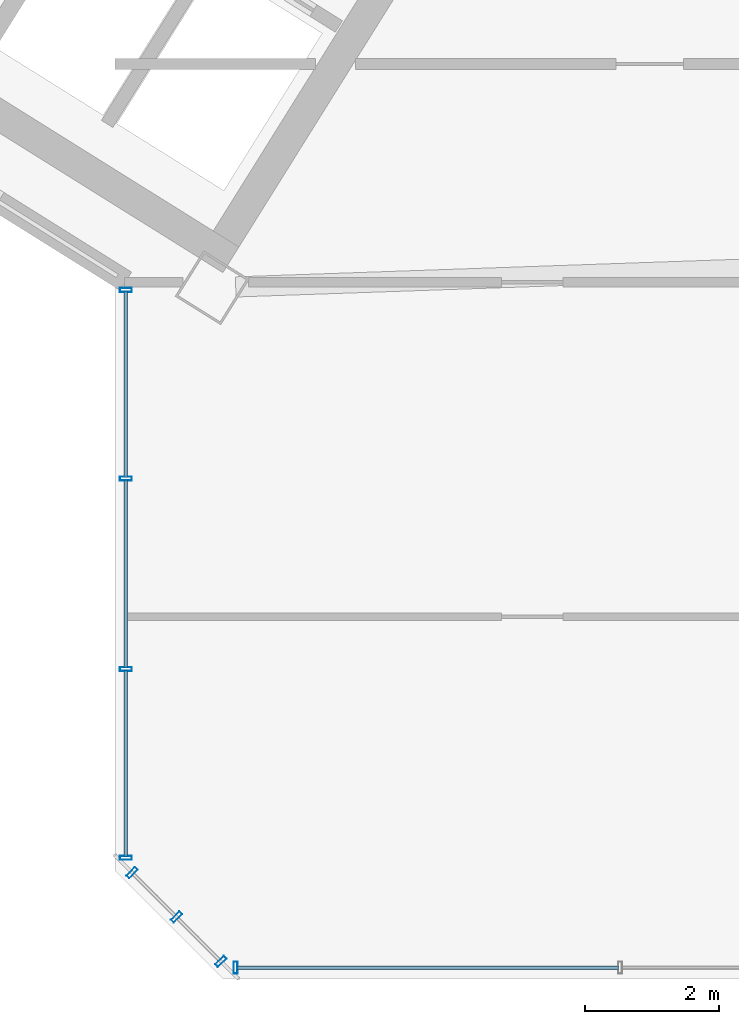
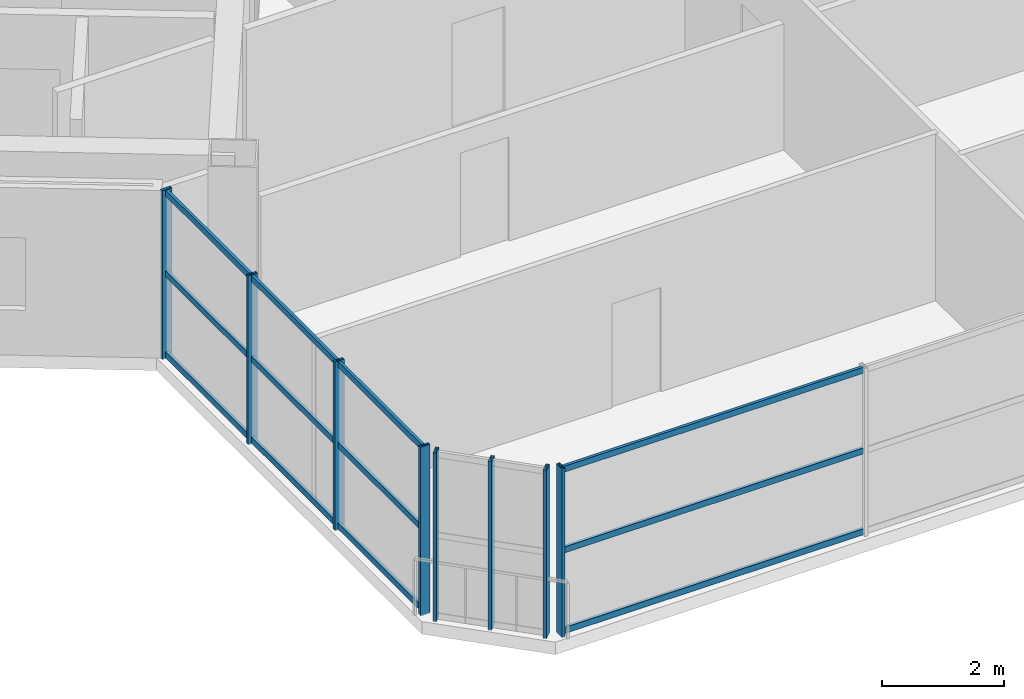
# One storey, part 4 of 21: 20 members, 3 elements without a shape of their own.
"""IFC4 building model written with IfcOpenShell, lengths in metres."""

from ifc_helpers import new_model, si_unit, direction, frame, origin, origin_2d, place, context, subcontext, project, spatial, hollow_rectangle, extrude, source, transform, mapped, material, material_profile, profile_set, type_object, element, aggregate, save


model = new_model("IFC4")

# Units and contexts
model_context = context("Model", 3, precision=1e-05, world=origin(), true_north=direction((0.0, 1.0)))
body_context = subcontext(model_context, "Body", "Model", "MODEL_VIEW")
ifc_project = project(units=[si_unit("LENGTHUNIT", "METRE"), si_unit("AREAUNIT", "SQUARE_METRE"), si_unit("VOLUMEUNIT", "CUBIC_METRE"), si_unit("PLANEANGLEUNIT", "RADIAN"), si_unit("MASSUNIT", "GRAM", prefix="KILO")], contexts=[model_context])

# Site, building, storey
site_placement = place(None, origin())
site = spatial("IfcSite", under=ifc_project, at=site_placement, CompositionType="ELEMENT")
building_placement = place(site_placement, origin())
building = spatial("IfcBuilding", under=site, at=building_placement, Name="Tlacorven Tower", CompositionType="ELEMENT")
storey_placement = place(building_placement, frame((0.0, 0.0, 214.800048828125)))
storey = spatial("IfcBuildingStorey", under=building, at=storey_placement, Name="L54", CompositionType="ELEMENT", Elevation=214.800048828125)

# Curtain wall, members
ifc_material_1 = material(Name="Dark solar low-E double glazing in aluminium frame", Category="aluminium")
curtain_wall_type = type_object("IfcCurtainWallType", Name="CW-TWR-HIGH", PredefinedType="USERDEFINED", material=ifc_material_1)
curtain_wall_1_placement = place(storey_placement, origin())
curtain_wall_1 = element("IfcCurtainWall", 1, at=curtain_wall_1_placement, inside=storey, type_object=curtain_wall_type, Name="L54 CW-TWR-HIGH Curtain Wall 245", ObjectType="UNITISED CURTAIN WALL", PredefinedType="USERDEFINED")
ifc_material_2 = material(Name="Aluminium 6063-T6 anodised", Category="aluminium")
ifc_material_profile_1 = material_profile(ifc_material_2, hollow_rectangle(XDim=0.054931640625, YDim=0.1201171875, WallThickness=0.00341796875, at=origin_2d()), Name="ALU TRANSOM 55X120")
ifc_profile_set_1 = profile_set([ifc_material_profile_1], Name="Aluminium 6063-T6 anodised")
member_type_1 = type_object("IfcMemberType", Name="CWT-03", PredefinedType="USERDEFINED", material=ifc_profile_set_1)
shared_shape_1 = source(origin(), body_context, "Body", "SweptSolid", [
    extrude(hollow_rectangle(XDim=0.054931640625, YDim=0.1201171875, WallThickness=0.00341796875, at=origin_2d()), origin(), (0.0, 0.0, 1.0), 5.689697265625),
])
member_1_placement = place(storey_placement, frame((39.10400390625, 1.9599609375, 0.06005859375), z_axis=(-1.0, 0.0, 0.0), x_axis=(0.0, -1.0, 0.0)))
member_1 = element("IfcMember", 2, at=member_1_placement, type_object=member_type_1, Name="CW-L54-245 Transom 7", ObjectType="TRANSOM", PredefinedType="USERDEFINED", context=body_context, shape_type="MappedRepresentation", body=[
    mapped(shared_shape_1, transform((0.0, 0.0, 0.0), scale=1.0)),
])
member_2_placement = place(storey_placement, frame((39.10400390625, 1.9599609375, 1.675048828125), z_axis=(-1.0, 0.0, 0.0), x_axis=(0.0, -1.0, 0.0)))
member_2 = element("IfcMember", 3, at=member_2_placement, type_object=member_type_1, Name="CW-L54-245 Transom 8", ObjectType="TRANSOM", PredefinedType="USERDEFINED", context=body_context, shape_type="MappedRepresentation", body=[
    mapped(shared_shape_1, transform((0.0, 0.0, 0.0), scale=1.0)),
])
member_3_placement = place(storey_placement, frame((39.10400390625, 1.9599609375, 3.2900390625), z_axis=(-1.0, 0.0, 0.0), x_axis=(0.0, -1.0, 0.0)))
member_3 = element("IfcMember", 4, at=member_3_placement, type_object=member_type_1, Name="CW-L54-245 Transom 9", ObjectType="TRANSOM", PredefinedType="USERDEFINED", context=body_context, shape_type="MappedRepresentation", body=[
    mapped(shared_shape_1, transform((0.0, 0.0, 0.0), scale=1.0)),
])

curtain_wall_2_placement = place(storey_placement, origin())
curtain_wall_2 = element("IfcCurtainWall", 5, at=curtain_wall_2_placement, inside=storey, type_object=curtain_wall_type, Name="L54 CW-TWR-HIGH Curtain Wall 247", ObjectType="UNITISED CURTAIN WALL", PredefinedType="USERDEFINED")
shared_shape_2 = source(origin(), body_context, "Body", "SweptSolid", [
    extrude(hollow_rectangle(XDim=0.054931640625, YDim=0.1201171875, WallThickness=0.00341796875, at=origin_2d()), origin(), (0.0, 0.0, 1.0), 2.77294921875),
])
member_4_placement = place(storey_placement, frame((31.760009765625, 3.6142578125, 0.06005859375), z_axis=(0.0, 1.0, 0.0), x_axis=(-1.0, 0.0, 0.0)))
member_4 = element("IfcMember", 6, at=member_4_placement, type_object=member_type_1, Name="CW-L54-247 Transom 1", ObjectType="TRANSOM", PredefinedType="USERDEFINED", context=body_context, shape_type="MappedRepresentation", body=[
    mapped(shared_shape_2, transform((0.0, 0.0, 0.0), scale=1.0)),
])
member_5_placement = place(storey_placement, frame((31.760009765625, 3.6142578125, 1.675048828125), z_axis=(0.0, 1.0, 0.0), x_axis=(-1.0, 0.0, 0.0)))
member_5 = element("IfcMember", 7, at=member_5_placement, type_object=member_type_1, Name="CW-L54-247 Transom 2", ObjectType="TRANSOM", PredefinedType="USERDEFINED", context=body_context, shape_type="MappedRepresentation", body=[
    mapped(shared_shape_2, transform((0.0, 0.0, 0.0), scale=1.0)),
])
member_6_placement = place(storey_placement, frame((31.760009765625, 3.6142578125, 3.2900390625), z_axis=(0.0, 1.0, 0.0), x_axis=(-1.0, 0.0, 0.0)))
member_6 = element("IfcMember", 8, at=member_6_placement, type_object=member_type_1, Name="CW-L54-247 Transom 3", ObjectType="TRANSOM", PredefinedType="USERDEFINED", context=body_context, shape_type="MappedRepresentation", body=[
    mapped(shared_shape_2, transform((0.0, 0.0, 0.0), scale=1.0)),
])
member_7_placement = place(storey_placement, frame((31.760009765625, 9.26220703125, 0.06005859375), z_axis=(0.0, 1.0, 0.0), x_axis=(-1.0, 0.0, 0.0)))
member_7 = element("IfcMember", 9, at=member_7_placement, type_object=member_type_1, Name="CW-L54-247 Transom 7", ObjectType="TRANSOM", PredefinedType="USERDEFINED", context=body_context, shape_type="MappedRepresentation", body=[
    mapped(shared_shape_2, transform((0.0, 0.0, 0.0), scale=1.0)),
])
member_8_placement = place(storey_placement, frame((31.760009765625, 9.26220703125, 1.675048828125), z_axis=(0.0, 1.0, 0.0), x_axis=(-1.0, 0.0, 0.0)))
member_8 = element("IfcMember", 10, at=member_8_placement, type_object=member_type_1, Name="CW-L54-247 Transom 8", ObjectType="TRANSOM", PredefinedType="USERDEFINED", context=body_context, shape_type="MappedRepresentation", body=[
    mapped(shared_shape_2, transform((0.0, 0.0, 0.0), scale=1.0)),
])
member_9_placement = place(storey_placement, frame((31.760009765625, 9.26220703125, 3.2900390625), z_axis=(0.0, 1.0, 0.0), x_axis=(-1.0, 0.0, 0.0)))
member_9 = element("IfcMember", 11, at=member_9_placement, type_object=member_type_1, Name="CW-L54-247 Transom 9", ObjectType="TRANSOM", PredefinedType="USERDEFINED", context=body_context, shape_type="MappedRepresentation", body=[
    mapped(shared_shape_2, transform((0.0, 0.0, 0.0), scale=1.0)),
])
shared_shape_3 = source(origin(), body_context, "Body", "SweptSolid", [
    extrude(hollow_rectangle(XDim=0.054931640625, YDim=0.1201171875, WallThickness=0.00341796875, at=origin_2d()), origin(), (0.0, 0.0, 1.0), 2.802978515625),
])
member_10_placement = place(storey_placement, frame((31.760009765625, 6.423095703125, 0.06005859375), z_axis=(0.0, 1.0, 0.0), x_axis=(-1.0, 0.0, 0.0)))
member_10 = element("IfcMember", 12, at=member_10_placement, type_object=member_type_1, Name="CW-L54-247 Transom 4", ObjectType="TRANSOM", PredefinedType="USERDEFINED", context=body_context, shape_type="MappedRepresentation", body=[
    mapped(shared_shape_3, transform((0.0, 0.0, 0.0), scale=1.0)),
])
member_11_placement = place(storey_placement, frame((31.760009765625, 6.423095703125, 1.675048828125), z_axis=(0.0, 1.0, 0.0), x_axis=(-1.0, 0.0, 0.0)))
member_11 = element("IfcMember", 13, at=member_11_placement, type_object=member_type_1, Name="CW-L54-247 Transom 5", ObjectType="TRANSOM", PredefinedType="USERDEFINED", context=body_context, shape_type="MappedRepresentation", body=[
    mapped(shared_shape_3, transform((0.0, 0.0, 0.0), scale=1.0)),
])
member_12_placement = place(storey_placement, frame((31.760009765625, 6.423095703125, 3.2900390625), z_axis=(0.0, 1.0, 0.0), x_axis=(-1.0, 0.0, 0.0)))
member_12 = element("IfcMember", 14, at=member_12_placement, type_object=member_type_1, Name="CW-L54-247 Transom 6", ObjectType="TRANSOM", PredefinedType="USERDEFINED", context=body_context, shape_type="MappedRepresentation", body=[
    mapped(shared_shape_3, transform((0.0, 0.0, 0.0), scale=1.0)),
])

# Member
ifc_material_profile_2 = material_profile(ifc_material_2, hollow_rectangle(XDim=0.06005859375, YDim=0.179931640625, WallThickness=0.00390625, at=origin_2d()), Name="ALU MULLION 60X180")
ifc_profile_set_2 = profile_set([ifc_material_profile_2], Name="Aluminium 6063-T6 anodised")
member_type_2 = type_object("IfcMemberType", Name="CWM-03", PredefinedType="MULLION", material=ifc_profile_set_2)
shared_shape_4 = source(origin(), body_context, "Body", "SweptSolid", [
    extrude(hollow_rectangle(XDim=0.06005859375, YDim=0.179931640625, WallThickness=0.00390625, at=origin_2d()), origin(), (0.0, 0.0, 1.0), 3.3798828125),
])
member_13_placement = place(storey_placement, frame((33.396240234375, 1.9599609375, -0.02001953125), z_axis=(0.0, 0.0, 1.0), x_axis=(-1.0, 0.0, 0.0)))
member_13 = element("IfcMember", 15, at=member_13_placement, type_object=member_type_2, Name="CW-L54-245 Mullion 4", PredefinedType="MULLION", context=body_context, shape_type="MappedRepresentation", body=[
    mapped(shared_shape_4, transform((0.0, 0.0, 0.0), scale=1.0)),
])

aggregate(curtain_wall_1, [member_13, member_1, member_2, member_3])

# Curtain wall, members
curtain_wall_3_placement = place(storey_placement, origin())
curtain_wall_3 = element("IfcCurtainWall", 16, at=curtain_wall_3_placement, inside=storey, type_object=curtain_wall_type, Name="L54 CW-TWR-HIGH Curtain Wall 246", ObjectType="UNITISED CURTAIN WALL", PredefinedType="USERDEFINED")
member_14_placement = place(storey_placement, frame((33.17431640625, 2.052001953125, -0.02001953125), z_axis=(0.0, 0.0, 1.0), x_axis=(-0.707106781187, 0.707106781187, 0.0)))
member_14 = element("IfcMember", 17, at=member_14_placement, type_object=member_type_2, Name="CW-L54-246 Mullion 1", PredefinedType="MULLION", context=body_context, shape_type="MappedRepresentation", body=[
    mapped(shared_shape_4, transform((0.0, 0.0, 0.0), scale=1.0)),
])
member_15_placement = place(storey_placement, frame((32.51318359375, 2.713134765625, -0.02001953125), z_axis=(0.0, 0.0, 1.0), x_axis=(-0.707106781187, 0.707106781187, 0.0)))
member_15 = element("IfcMember", 18, at=member_15_placement, type_object=member_type_2, Name="CW-L54-246 Mullion 2", PredefinedType="MULLION", context=body_context, shape_type="MappedRepresentation", body=[
    mapped(shared_shape_4, transform((0.0, 0.0, 0.0), scale=1.0)),
])
member_16_placement = place(storey_placement, frame((31.851806640625, 3.374267578125, -0.02001953125), z_axis=(0.0, 0.0, 1.0), x_axis=(-0.707106781187, 0.707106781187, 0.0)))
member_16 = element("IfcMember", 19, at=member_16_placement, type_object=member_type_2, Name="CW-L54-246 Mullion 3", PredefinedType="MULLION", context=body_context, shape_type="MappedRepresentation", body=[
    mapped(shared_shape_4, transform((0.0, 0.0, 0.0), scale=1.0)),
])
aggregate(curtain_wall_3, [member_14, member_15, member_16])

# Member
member_17_placement = place(storey_placement, frame((31.760009765625, 3.59619140625, -0.02001953125), z_axis=(0.0, 0.0, 1.0), x_axis=(0.0, 1.0, 0.0)))
member_17 = element("IfcMember", 20, at=member_17_placement, type_object=member_type_2, Name="CW-L54-247 Mullion 1", PredefinedType="MULLION", context=body_context, shape_type="MappedRepresentation", body=[
    mapped(shared_shape_4, transform((0.0, 0.0, 0.0), scale=1.0)),
])

member_18_placement = place(storey_placement, frame((31.760009765625, 6.4052734375, -0.02001953125), z_axis=(0.0, 0.0, 1.0), x_axis=(0.0, 1.0, 0.0)))
member_18 = element("IfcMember", 21, at=member_18_placement, type_object=member_type_2, Name="CW-L54-247 Mullion 2", PredefinedType="MULLION", context=body_context, shape_type="MappedRepresentation", body=[
    mapped(shared_shape_4, transform((0.0, 0.0, 0.0), scale=1.0)),
])

member_19_placement = place(storey_placement, frame((31.760009765625, 9.244140625, -0.02001953125), z_axis=(0.0, 0.0, 1.0), x_axis=(0.0, 1.0, 0.0)))
member_19 = element("IfcMember", 22, at=member_19_placement, type_object=member_type_2, Name="CW-L54-247 Mullion 3", PredefinedType="MULLION", context=body_context, shape_type="MappedRepresentation", body=[
    mapped(shared_shape_4, transform((0.0, 0.0, 0.0), scale=1.0)),
])

member_20_placement = place(storey_placement, frame((31.760009765625, 12.052978515625, -0.02001953125), z_axis=(0.0, 0.0, 1.0), x_axis=(0.0, 1.0, 0.0)))
member_20 = element("IfcMember", 23, at=member_20_placement, type_object=member_type_2, Name="CW-L54-247 Mullion 4", PredefinedType="MULLION", context=body_context, shape_type="MappedRepresentation", body=[
    mapped(shared_shape_4, transform((0.0, 0.0, 0.0), scale=1.0)),
])

aggregate(curtain_wall_2, [member_17, member_18, member_19, member_20, member_4, member_5, member_6, member_10, member_11, member_12, member_7, member_8, member_9])

save(model, "model.ifc")
